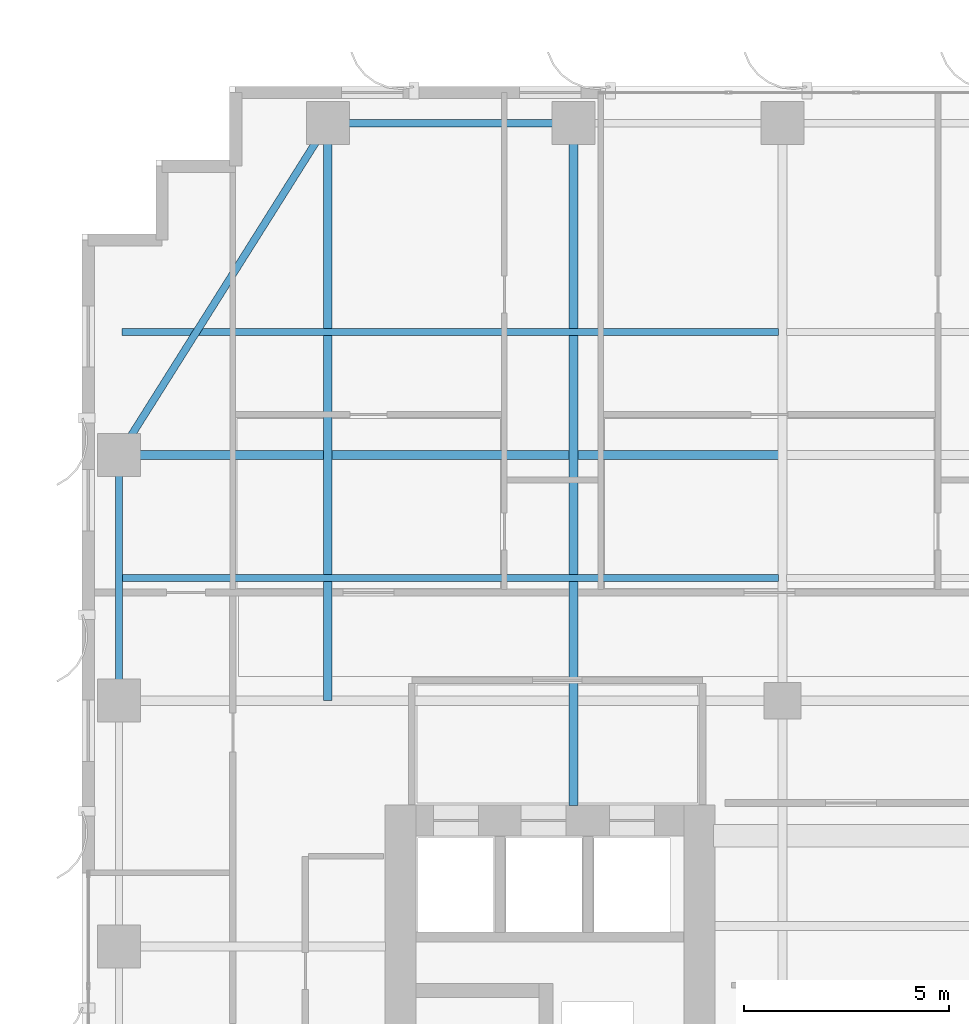
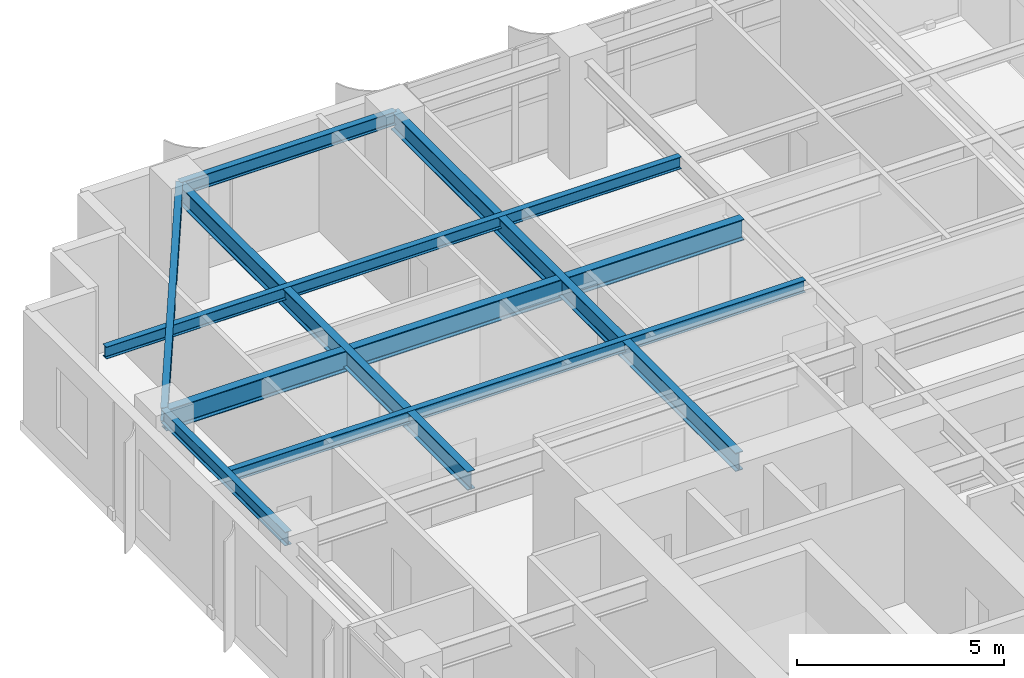
# One storey, part 8 of 22: 8 beams.
"""IFC4 building model written with IfcOpenShell, lengths in metres."""

import ifcopenshell
import ifcopenshell.guid

model = None  # the IFC model being written
_history = None  # IfcOwnerHistory: only IFC2X3 demands one
_inside = {}  # id of a spatial element -> (the spatial element, [elements in it])
_under = {}  # id of a project, library or spatial element -> (it, [spatial elements below it])
_declared = {}  # id of a project -> (the project, [libraries it declares])
_typed = {}  # id of a type object -> (the type object, [elements of that type])
_made_of = {}  # id of a material, layer set ... -> (it, [elements and type objects made of it])


def new_model(schema):
    """Start an empty IFC model of exactly this schema.

    Asked for "IFC4X3", IfcOpenShell would pick the latest addendum, in which some entities
    have other attributes; the version numbers below select the first issue.
    IFC2X3 requires an IfcOwnerHistory on every rooted entity: one is made here for all.
    """
    global model, _history
    if schema == "IFC4X3":
        model = ifcopenshell.file(schema_version=(4, 3, 0, 0))
    else:
        model = ifcopenshell.file(schema=schema)
    _inside.clear()
    _under.clear()
    _declared.clear()
    _typed.clear()
    _made_of.clear()
    _history = None
    if model.schema == "IFC2X3":
        org = make("IfcOrganization", Name="unknown")
        user = make(
            "IfcPersonAndOrganization",
            ThePerson=make("IfcPerson", FamilyName="unknown"),
            TheOrganization=org,
        )
        app = make(
            "IfcApplication",
            ApplicationDeveloper=org,
            Version="unknown",
            ApplicationFullName="unknown",
            ApplicationIdentifier="unknown",
        )
        _history = make(
            "IfcOwnerHistory",
            OwningUser=user,
            OwningApplication=app,
            ChangeAction="ADDED",
            CreationDate=0,
        )
    return model


def make(cls, **values):
    """One entity of the class cls with the attributes given. An attribute that is None is left unset."""
    return model.create_entity(
        cls, **{name: value for name, value in values.items() if value is not None}
    )


def rooted(cls, **values):
    """An entity with a GlobalId (a new one), such as an element, a storey or a relation."""
    return make(cls, GlobalId=ifcopenshell.guid.new(), OwnerHistory=_history, **values)


def si_unit(unit_type, name, prefix=None):
    """IfcSIUnit, for example si_unit("LENGTHUNIT", "METRE", prefix="MILLI")."""
    return make("IfcSIUnit", UnitType=unit_type, Prefix=prefix, Name=name)


def assignment(units):
    """IfcUnitAssignment: the units of a project."""
    return None if units is None else make("IfcUnitAssignment", Units=units)


def point(xyz):
    """IfcCartesianPoint."""
    return None if xyz is None else make("IfcCartesianPoint", Coordinates=xyz)


def direction(xyz):
    """IfcDirection."""
    return None if xyz is None else make("IfcDirection", DirectionRatios=xyz)


def frame(location, z_axis=None, x_axis=None):
    """IfcAxis2Placement3D, a coordinate frame: its origin and axes. An axis left out is left unset."""
    return make(
        "IfcAxis2Placement3D",
        Location=point(location),
        Axis=direction(z_axis),
        RefDirection=direction(x_axis),
    )


def frame_2d(location, x_axis=None):
    """IfcAxis2Placement2D, a coordinate frame in the plane: its origin and x axis."""
    return make(
        "IfcAxis2Placement2D", Location=point(location), RefDirection=direction(x_axis)
    )


def origin():
    """The frame at (0, 0, 0) with its axes left unset."""
    return frame((0.0, 0.0, 0.0))


def origin_2d():
    """The frame at (0, 0) in the plane with its x axis left unset."""
    return frame_2d((0.0, 0.0))


def place(relative_to, where):
    """IfcLocalPlacement: puts the frame where relative to a parent placement (None: the world)."""
    return make(
        "IfcLocalPlacement", PlacementRelTo=relative_to, RelativePlacement=where
    )


def context(
    kind, dimensions, precision=None, world=None, true_north=None, identifier=None
):
    """IfcGeometricRepresentationContext, for example the 3D "Model" context."""
    return make(
        "IfcGeometricRepresentationContext",
        ContextIdentifier=identifier,
        ContextType=kind,
        CoordinateSpaceDimension=dimensions,
        Precision=precision,
        WorldCoordinateSystem=world,
        TrueNorth=true_north,
    )


def subcontext(parent, identifier, kind, view, scale=None):
    """IfcGeometricRepresentationSubContext, for example "Body" below "Model"."""
    return make(
        "IfcGeometricRepresentationSubContext",
        ContextIdentifier=identifier,
        ContextType=kind,
        ParentContext=parent,
        TargetScale=scale,
        TargetView=view,
    )


def project(units=None, contexts=None):
    """IfcProject with its units and contexts."""
    return rooted(
        "IfcProject",
        Name="project",
        RepresentationContexts=contexts,
        UnitsInContext=assignment(units),
    )


def spatial(cls, under=None, at=None, **own):
    """A site, building, storey or space (cls), placed at a placement, below another one or the project."""
    s = rooted(cls, ObjectPlacement=at, **own)
    if under is not None:
        _under.setdefault(under.id(), (under, []))[1].append(s)
    return s


def profile(cls, at=None, kind="AREA", **sizes):
    """A parametric profile (cls). Its sizes go by their IFC names, for example OverallWidth=200.0."""
    return make(cls, ProfileType=kind, Position=at, **sizes)


def i_section(**sizes):
    """IfcIShapeProfileDef."""
    return profile("IfcIShapeProfileDef", **sizes)


def extrude(swept, where, along, depth):
    """IfcExtrudedAreaSolid: the profile swept, set in the frame where, extruded along a direction by depth."""
    return make(
        "IfcExtrudedAreaSolid",
        SweptArea=swept,
        Position=where,
        ExtrudedDirection=direction(along),
        Depth=depth,
    )


def shape(context_of_items, identifier, shape_type, items):
    """IfcShapeRepresentation: the items that make up one representation, for example the "Body"."""
    return make(
        "IfcShapeRepresentation",
        ContextOfItems=context_of_items,
        RepresentationIdentifier=identifier,
        RepresentationType=shape_type,
        Items=items,
    )


def source(mapping_origin, context_of_items, identifier, shape_type, items):
    """IfcRepresentationMap: a shape defined once, which mapped items show again and again."""
    return make(
        "IfcRepresentationMap",
        MappingOrigin=mapping_origin,
        MappedRepresentation=shape(context_of_items, identifier, shape_type, items),
    )


def transform(
    local_origin,
    x_axis=None,
    y_axis=None,
    z_axis=None,
    scale=None,
    scale2=None,
    scale3=None,
    uniform=True,
):
    """IfcCartesianTransformationOperator3D, or its non-uniform kind. x_axis, y_axis, z_axis: its Axis1, 2, 3."""
    if uniform:
        return make(
            "IfcCartesianTransformationOperator3D",
            Axis1=direction(x_axis),
            Axis2=direction(y_axis),
            LocalOrigin=point(local_origin),
            Scale=scale,
            Axis3=direction(z_axis),
        )
    return make(
        "IfcCartesianTransformationOperator3DnonUniform",
        Axis1=direction(x_axis),
        Axis2=direction(y_axis),
        LocalOrigin=point(local_origin),
        Scale=scale,
        Axis3=direction(z_axis),
        Scale2=scale2,
        Scale3=scale3,
    )


def mapped(mapping_source, mapping_target):
    """IfcMappedItem: shows the shape of a source again, moved by a transform."""
    return make(
        "IfcMappedItem", MappingSource=mapping_source, MappingTarget=mapping_target
    )


def material(Name=None, Category=None):
    """IfcMaterial."""
    return make("IfcMaterial", Name=Name, Category=Category)


def material_profile(
    of_material, cross_section, Name=None, Category=None, Priority=None
):
    """IfcMaterialProfile: a cross section and its material."""
    return make(
        "IfcMaterialProfile",
        Name=Name,
        Material=of_material,
        Profile=cross_section,
        Priority=Priority,
        Category=Category,
    )


def profile_set(profiles, Name=None, composite=None):
    """IfcMaterialProfileSet."""
    return make(
        "IfcMaterialProfileSet",
        Name=Name,
        MaterialProfiles=profiles,
        CompositeProfile=composite,
    )


def made_of(thing, what):
    """Note that an element or type object is made of a material, layer set ...; save() writes the relation."""
    if what is not None:
        _made_of.setdefault(what.id(), (what, []))[1].append(thing)
    return thing


def type_object(cls, material=None, **own):
    """A type object (cls), such as IfcWallType, which elements share."""
    return made_of(rooted(cls, **own), material)


def element(
    cls,
    number,
    at=None,
    inside=None,
    cuts=None,
    type_object=None,
    material=None,
    context=None,
    identifier="Body",
    shape_type=None,
    held_by="IfcProductDefinitionShape",
    body=None,
    shapes=None,
    **own,
):
    """One element of the class cls, such as IfcWall. Its Tag is "e" and its number.

    at: its placement. inside: the storey or other place that contains it. cuts: it is an
    opening in that element (IfcRelVoidsElement). A single representation is given by context,
    identifier, shape_type and body (its items); several are given by shapes. held_by: the class
    of the entity that holds the representations. save() writes the other relations.
    """
    e = rooted(cls, Tag="e%d" % number, ObjectPlacement=at, **own)
    if body is not None:
        shapes = [shape(context, identifier, shape_type, body)]
    if shapes is not None:
        e.Representation = make(held_by, Representations=shapes)
    if inside is not None:
        _inside.setdefault(inside.id(), (inside, []))[1].append(e)
    if cuts is not None:
        rooted(
            "IfcRelVoidsElement", RelatingBuildingElement=cuts, RelatedOpeningElement=e
        )
    if type_object is not None:
        _typed.setdefault(type_object.id(), (type_object, []))[1].append(e)
    return made_of(e, material)


def aggregate(whole, parts):
    """IfcRelAggregates: a whole, such as a stair, and the parts it consists of."""
    return rooted("IfcRelAggregates", RelatingObject=whole, RelatedObjects=parts)


def save(model, path):
    """Write the relations noted so far, then the file.

    IfcRelAggregates (storeys below a building ...), IfcRelContainedInSpatialStructure (elements
    in a storey), IfcRelDefinesByType, IfcRelAssociatesMaterial and IfcRelDeclares: one each for
    every whole, place, type object, material and project.
    """
    for whole, parts in _under.values():
        aggregate(whole, parts)
    for where, things in _inside.values():
        rooted(
            "IfcRelContainedInSpatialStructure",
            RelatedElements=things,
            RelatingStructure=where,
        )
    for kind, things in _typed.values():
        rooted("IfcRelDefinesByType", RelatedObjects=things, RelatingType=kind)
    for what, things in _made_of.values():
        rooted("IfcRelAssociatesMaterial", RelatedObjects=things, RelatingMaterial=what)
    for by, libraries in _declared.values():
        rooted("IfcRelDeclares", RelatingContext=by, RelatedDefinitions=libraries)
    model.write(path)


model = new_model("IFC4")

# Units and contexts
model_context = context("Model", 3, precision=1e-05, world=origin(), true_north=direction((0.0, 1.0)))
body_context = subcontext(model_context, "Body", "Model", "MODEL_VIEW")
ifc_project = project(units=[si_unit("LENGTHUNIT", "METRE"), si_unit("AREAUNIT", "SQUARE_METRE"), si_unit("VOLUMEUNIT", "CUBIC_METRE"), si_unit("PLANEANGLEUNIT", "RADIAN"), si_unit("MASSUNIT", "GRAM", prefix="KILO")], contexts=[model_context])

# Site, building, storey
site_placement = place(None, origin())
site = spatial("IfcSite", under=ifc_project, at=site_placement, CompositionType="ELEMENT")
building_placement = place(site_placement, origin())
building = spatial("IfcBuilding", under=site, at=building_placement, Name="Khoralis Quay Care Tower", CompositionType="ELEMENT")
storey_placement = place(building_placement, frame((0.0, 0.0, 101.699951171875)))
storey = spatial("IfcBuildingStorey", under=building, at=storey_placement, Name="L26", CompositionType="ELEMENT", Elevation=101.699951171875)

# Beams
ifc_material = material(Name="Steel S355", Category="steel")
ifc_material_profile_1 = material_profile(ifc_material, i_section(OverallWidth=0.179931640625, OverallDepth=0.39990234375, WebThickness=0.008544921875, FlangeThickness=0.013427734375, FilletRadius=0.02099609375, at=origin_2d()), Name="Steel S355")
ifc_profile_set_1 = profile_set([ifc_material_profile_1], Name="Steel S355")
beam_type_1 = type_object("IfcBeamType", Name="BM-IPE400", PredefinedType="SPANDREL", material=ifc_profile_set_1)
shared_shape_1 = source(origin(), body_context, "Body", "SweptSolid", [
    extrude(i_section(OverallWidth=0.179931640625, OverallDepth=0.39990234375, WebThickness=0.008544921875, FlangeThickness=0.013427734375, FilletRadius=0.02099609375, at=origin_2d()), origin(), (0.0, 0.0, 1.0), 6.0),
])
for number, where, z_axis, x_axis, name in (
    (1, (6.0, 44.10009765625, 3.14013671875), (1.0, 0.0, 0.0), (0.0, 1.0, 0.0), "BM-TSP-L26-06"),
    (2, (0.89990234375, 30.0, 3.14013671875), (0.0, 1.0, 0.0), (-1.0, 0.0, 0.0), "BM-TSP-L26-15"),
):
    element("IfcBeam", number, at=place(storey_placement, frame(where, z_axis=z_axis, x_axis=x_axis)), inside=storey, type_object=beam_type_1, Name=name, PredefinedType="SPANDREL", context=body_context, shape_type="MappedRepresentation", body=[
        mapped(shared_shape_1, transform((0.0, 0.0, 0.0), scale=1.0)),
    ])
shared_shape_2 = source(origin(), body_context, "Body", "SweptSolid", [
    extrude(i_section(OverallWidth=0.179931640625, OverallDepth=0.39990234375, WebThickness=0.008544921875, FlangeThickness=0.013427734375, FilletRadius=0.02099609375, at=origin_2d()), origin(), (0.0, 0.0, 1.0), 9.572021484375),
])
beam_1_placement = place(storey_placement, frame((6.0, 44.10009765625, 3.14013671875), z_axis=(-0.532815975602, -0.846231136359, 0.0), x_axis=(0.846231136359, -0.532815975602, 0.0)))
element("IfcBeam", 3, at=beam_1_placement, inside=storey, type_object=beam_type_1, Name="BM-TCR-L26-23", PredefinedType="SPANDREL", context=body_context, shape_type="MappedRepresentation", body=[
    mapped(shared_shape_2, transform((0.0, 0.0, 0.0), scale=1.0)),
])
ifc_material_profile_2 = material_profile(ifc_material, i_section(OverallWidth=0.22998046875, OverallDepth=0.616943359375, WebThickness=0.01318359375, FlangeThickness=0.022216796875, FilletRadius=0.01806640625, at=origin_2d()), Name="Steel S355")
ifc_profile_set_2 = profile_set([ifc_material_profile_2], Name="Steel S355")
beam_type_2 = type_object("IfcBeamType", Name="BM-W610X140", PredefinedType="BEAM", material=ifc_profile_set_2)
shared_shape_3 = source(origin(), body_context, "Body", "SweptSolid", [
    extrude(i_section(OverallWidth=0.22998046875, OverallDepth=0.616943359375, WebThickness=0.01318359375, FlangeThickness=0.022216796875, FilletRadius=0.01806640625, at=origin_2d()), origin(), (0.0, 0.0, 1.0), 16.106201171875),
])
beam_2_placement = place(storey_placement, frame((0.89990234375, 36.0, 3.031494140625), z_axis=(1.0, 0.0, 0.0), x_axis=(0.0, 1.0, 0.0)))
element("IfcBeam", 4, at=beam_2_placement, inside=storey, type_object=beam_type_2, Name="BM-TGXW-L26-360", PredefinedType="BEAM", context=body_context, shape_type="MappedRepresentation", body=[
    mapped(shared_shape_3, transform((0.0, 0.0, 0.0), scale=1.0)),
])
ifc_material_profile_3 = material_profile(ifc_material, i_section(OverallWidth=0.2119140625, OverallDepth=0.5439453125, WebThickness=0.01318359375, FlangeThickness=0.021240234375, FilletRadius=0.01611328125, at=origin_2d()), Name="Steel S355")
ifc_profile_set_3 = profile_set([ifc_material_profile_3], Name="Steel S355")
beam_type_3 = type_object("IfcBeamType", Name="BM-W530X123", PredefinedType="BEAM", material=ifc_profile_set_3)
shared_shape_4 = source(origin(), body_context, "Body", "SweptSolid", [
    extrude(i_section(OverallWidth=0.2119140625, OverallDepth=0.5439453125, WebThickness=0.01318359375, FlangeThickness=0.021240234375, FilletRadius=0.01611328125, at=origin_2d()), origin(), (0.0, 0.0, 1.0), 14.10009765625),
])
beam_3_placement = place(storey_placement, frame((6.0, 30.0, 3.068115234375), z_axis=(0.0, 1.0, 0.0), x_axis=(-1.0, 0.0, 0.0)))
element("IfcBeam", 5, at=beam_3_placement, inside=storey, type_object=beam_type_3, Name="BM-TGYN-L26-60", PredefinedType="BEAM", context=body_context, shape_type="MappedRepresentation", body=[
    mapped(shared_shape_4, transform((0.0, 0.0, 0.0), scale=1.0)),
])
shared_shape_5 = source(origin(), body_context, "Body", "SweptSolid", [
    extrude(i_section(OverallWidth=0.2119140625, OverallDepth=0.5439453125, WebThickness=0.01318359375, FlangeThickness=0.021240234375, FilletRadius=0.01611328125, at=origin_2d()), origin(), (0.0, 0.0, 1.0), 16.652099609375),
])
beam_4_placement = place(storey_placement, frame((12.0, 27.447998046875, 3.068115234375), z_axis=(0.0, 1.0, 0.0), x_axis=(-1.0, 0.0, 0.0)))
element("IfcBeam", 6, at=beam_4_placement, inside=storey, type_object=beam_type_3, Name="BM-TGYN-L26-120", PredefinedType="BEAM", context=body_context, shape_type="MappedRepresentation", body=[
    mapped(shared_shape_5, transform((0.0, 0.0, 0.0), scale=1.0)),
])
ifc_material_profile_4 = material_profile(ifc_material, i_section(OverallWidth=0.1708984375, OverallDepth=0.35498046875, WebThickness=0.007080078125, FlangeThickness=0.01171875, FilletRadius=0.012939453125, at=origin_2d()), Name="Steel S355")
ifc_profile_set_4 = profile_set([ifc_material_profile_4], Name="Steel S355")
beam_type_4 = type_object("IfcBeamType", Name="BM-W360X51", PredefinedType="JOIST", material=ifc_profile_set_4)
shared_shape_6 = source(origin(), body_context, "Body", "SweptSolid", [
    extrude(i_section(OverallWidth=0.1708984375, OverallDepth=0.35498046875, WebThickness=0.007080078125, FlangeThickness=0.01171875, FilletRadius=0.012939453125, at=origin_2d()), origin(), (0.0, 0.0, 1.0), 16.030029296875),
])
for number, where, z_axis, x_axis, name in (
    (7, (0.97607421875, 33.0, 3.16259765625), (1.0, 0.0, 0.0), (0.0, 1.0, 0.0), "BM-TJS-L26-28"),
    (8, (0.97607421875, 39.0, 3.16259765625), (1.0, 0.0, 0.0), (0.0, 1.0, 0.0), "BM-TJS-L26-31"),
):
    element("IfcBeam", number, at=place(storey_placement, frame(where, z_axis=z_axis, x_axis=x_axis)), inside=storey, type_object=beam_type_4, Name=name, PredefinedType="JOIST", context=body_context, shape_type="MappedRepresentation", body=[
        mapped(shared_shape_6, transform((0.0, 0.0, 0.0), scale=1.0)),
    ])

save(model, "model.ifc")
